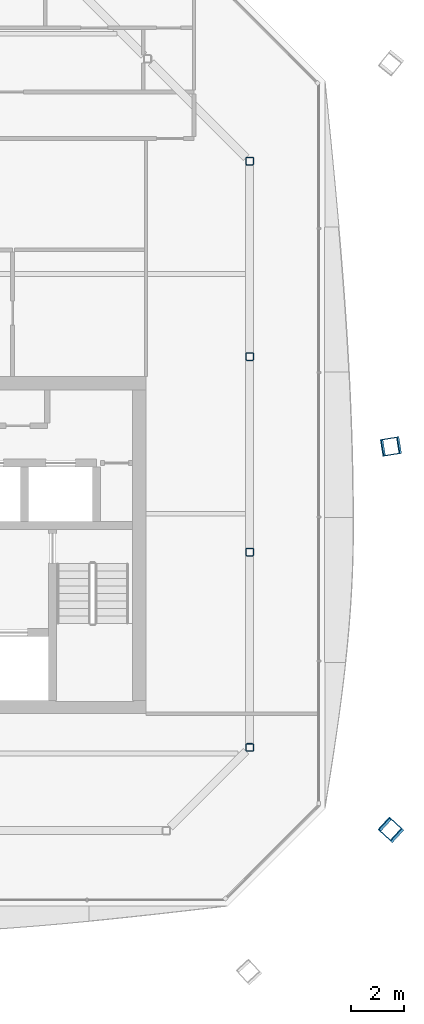
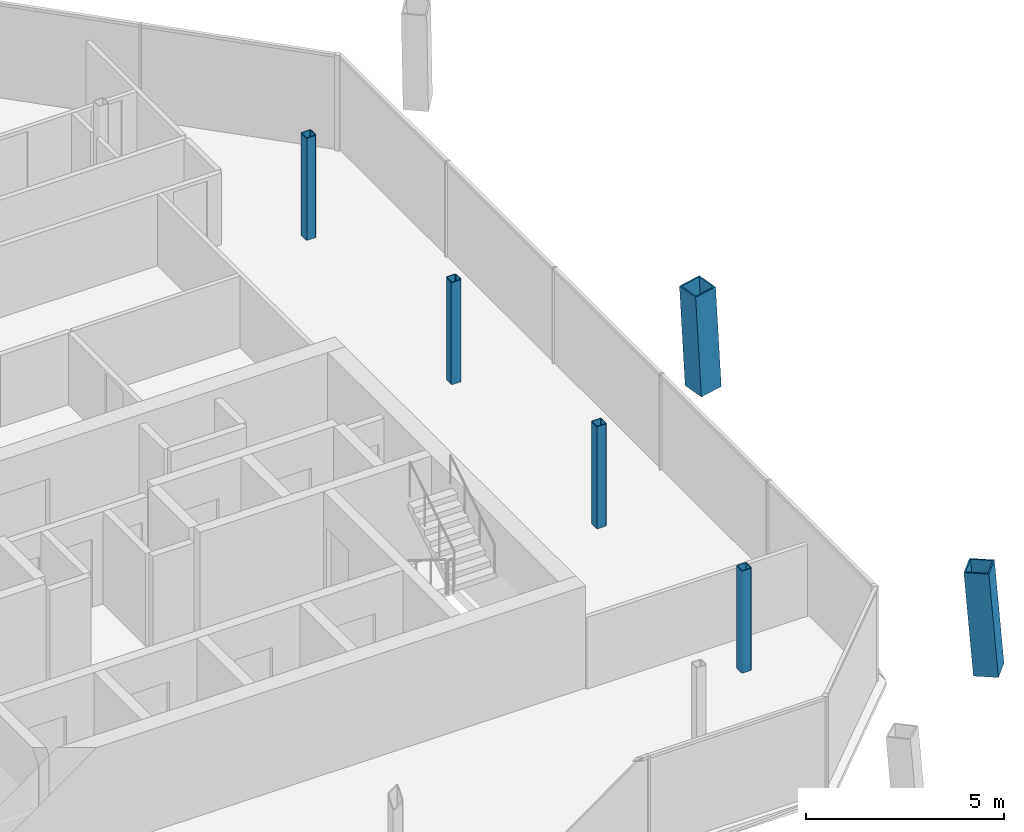
# One storey, part 2 of 18: 6 columns.
"""IFC4 building model written with IfcOpenShell, lengths in metres."""

from ifc_helpers import new_model, si_unit, direction, frame, origin, origin_2d, place, context, subcontext, project, spatial, hollow_rectangle, extrude, material, material_profile, profile_set, type_object, element, save


model = new_model("IFC4")

# Units and contexts
model_context = context("Model", 3, precision=1e-05, world=origin(), true_north=direction((0.0, 1.0)))
body_context = subcontext(model_context, "Body", "Model", "MODEL_VIEW")
ifc_project = project(units=[si_unit("LENGTHUNIT", "METRE"), si_unit("AREAUNIT", "SQUARE_METRE"), si_unit("VOLUMEUNIT", "CUBIC_METRE"), si_unit("PLANEANGLEUNIT", "RADIAN"), si_unit("MASSUNIT", "GRAM", prefix="KILO")], contexts=[model_context])

# Site, building, storey
site_placement = place(None, origin())
site = spatial("IfcSite", under=ifc_project, at=site_placement, CompositionType="ELEMENT")
building_placement = place(site_placement, origin())
building = spatial("IfcBuilding", under=site, at=building_placement, Name="Tskaro Facet Tower", CompositionType="ELEMENT")
storey_placement = place(building_placement, frame((0.0, 0.0, 223.5)))
storey = spatial("IfcBuildingStorey", under=building, at=storey_placement, Name="L57", CompositionType="ELEMENT", Elevation=223.5)

# Columns
ifc_material_1 = material(Name="Steel S355J2", Category="steel")
ifc_material_profile_1 = material_profile(ifc_material_1, hollow_rectangle(XDim=0.64990234375, YDim=0.64990234375, WallThickness=0.0400390625, at=origin_2d()), Name="BOX 650x650x40")
ifc_profile_set_1 = profile_set([ifc_material_profile_1], Name="Steel S355J2")
column_type_1 = type_object("IfcColumnType", Name="BOX 650x650x40 mega column", PredefinedType="COLUMN", material=ifc_profile_set_1)
column_1_placement = place(storey_placement, frame((18.719970703125, -16.386962890625, 0.0), z_axis=(-0.057874436932, 0.052851955756, 0.996923878901), x_axis=(-0.674339490337, -0.738421459448, 0.0)))
element("IfcColumn", 1, at=column_1_placement, inside=storey, type_object=column_type_1, Name="BOX 650x650x40 MC04/5", PredefinedType="COLUMN", context=body_context, shape_type="SweptSolid", body=[
    extrude(hollow_rectangle(XDim=0.64990234375, YDim=0.64990234375, WallThickness=0.0400390625, at=origin_2d()), origin(), (0.0, 0.0, 1.0), 3.15966796875),
])
column_2_placement = place(storey_placement, frame((18.719970703125, -1.972900390625, 0.0), z_axis=(-0.057952981129, -0.009207482983, 0.998276852499), x_axis=(0.156910450318, -0.987612834354, 0.0)))
element("IfcColumn", 2, at=column_2_placement, inside=storey, type_object=column_type_1, Name="BOX 650x650x40 MC05/5", PredefinedType="COLUMN", context=body_context, shape_type="SweptSolid", body=[
    extrude(hollow_rectangle(XDim=0.64990234375, YDim=0.64990234375, WallThickness=0.0400390625, at=origin_2d()), origin(), (0.0, 0.0, 1.0), 3.1552734375),
])
ifc_material_2 = material(Name="Steel S355J2H", Category="steel")
ifc_material_profile_2 = material_profile(ifc_material_2, hollow_rectangle(XDim=0.300048828125, YDim=0.300048828125, WallThickness=0.02001953125, InnerFilletRadius=0.030029296875, OuterFilletRadius=0.050048828125, at=origin_2d()), Name="SHS 300x300x20")
ifc_profile_set_2 = profile_set([ifc_material_profile_2], Name="Steel S355J2H")
column_type_2 = type_object("IfcColumnType", Name="SHS 300x300x20 ring column", PredefinedType="COLUMN", material=ifc_profile_set_2)
for number, where, z_axis, x_axis, name in (
    (3, (13.39111328125, -13.26806640625, 0.0), (0.0, 0.0, 1.0), (1.0, 0.0, 0.0), "SHS 300x300x20 RE-1/5"),
    (4, (13.39111328125, -5.93701171875, 0.0), (0.0, 0.0, 1.0), (1.0, 0.0, 0.0), "SHS 300x300x20 RE-2/5"),
    (5, (13.39111328125, 1.39404296875, 0.0), (0.0, 0.0, 1.0), (1.0, 0.0, 0.0), "SHS 300x300x20 RE-3/5"),
    (6, (13.39111328125, 8.72509765625, 0.0), (0.0, 0.0, 1.0), (1.0, 0.0, 0.0), "SHS 300x300x20 RNE-1/5"),
):
    element("IfcColumn", number, at=place(storey_placement, frame(where, z_axis=z_axis, x_axis=x_axis)), inside=storey, type_object=column_type_2, Name=name, PredefinedType="COLUMN", context=body_context, shape_type="SweptSolid", body=[
        extrude(hollow_rectangle(XDim=0.300048828125, YDim=0.300048828125, WallThickness=0.02001953125, InnerFilletRadius=0.030029296875, OuterFilletRadius=0.050048828125, at=origin_2d()), origin(), (0.0, 0.0, 1.0), 3.14990234375),
    ])

save(model, "model.ifc")
